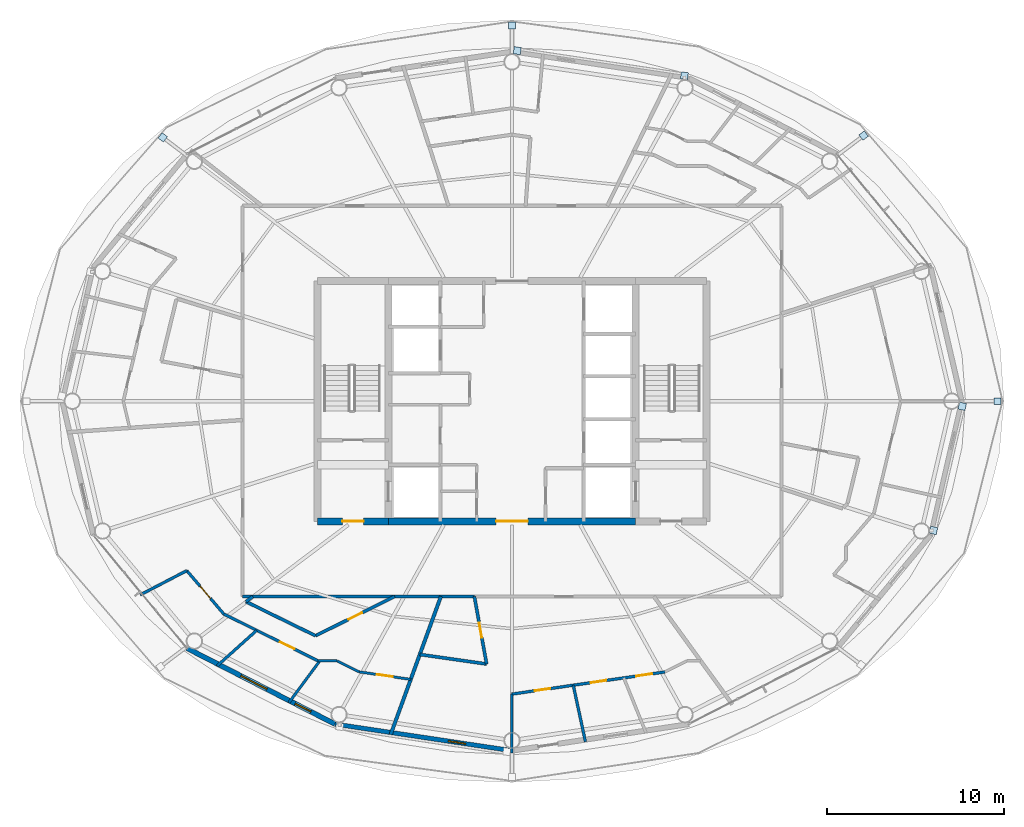
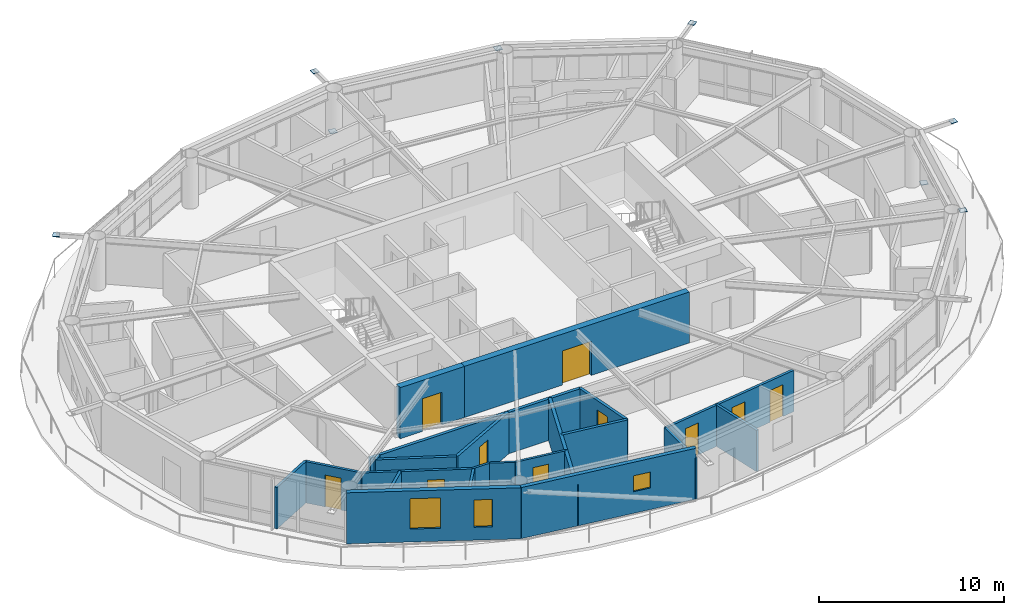
# One storey, part 15 of 23: 23 walls, 10 doors, 8 plates, 3 windows, 13 openings.
"""IFC4 building model written with IfcOpenShell, lengths in metres."""

from ifc_helpers import new_model, si_unit, direction, frame, frame_2d, origin, origin_2d, place, context, subcontext, project, spatial, rectangle, extrude, material, layer, layer_set, type_object, element, fill, save


model = new_model("IFC4")

# Units and contexts
model_context = context("Model", 3, precision=1e-05, world=origin(), true_north=direction((0.0, 1.0)))
body_context = subcontext(model_context, "Body", "Model", "MODEL_VIEW")
ifc_project = project(units=[si_unit("LENGTHUNIT", "METRE"), si_unit("AREAUNIT", "SQUARE_METRE"), si_unit("VOLUMEUNIT", "CUBIC_METRE"), si_unit("PLANEANGLEUNIT", "RADIAN"), si_unit("MASSUNIT", "GRAM", prefix="KILO")], contexts=[model_context])

# Site, building, storey
site_placement = place(None, origin())
site = spatial("IfcSite", under=ifc_project, at=site_placement, CompositionType="ELEMENT")
building_placement = place(site_placement, origin())
building = spatial("IfcBuilding", under=site, at=building_placement, Name="Sarneth Arch Tower", CompositionType="ELEMENT")
storey_placement = place(building_placement, frame((0.0, 0.0, 217.199951171875)))
storey = spatial("IfcBuildingStorey", under=building, at=storey_placement, Name="L55", CompositionType="ELEMENT", Elevation=217.199951171875)

# Plates
ifc_material_1 = material(Name="Steel S355", Category="steel")
ifc_layer_1 = layer(ifc_material_1, 0.035888671875)
ifc_layer_set_1 = layer_set([ifc_layer_1], Name="Steel S355")
plate_type = type_object("IfcPlateType", Name="PLT-GUSSET-30", PredefinedType="SHEET", material=ifc_layer_set_1)
for number, where, z_axis, x_axis, name in (
    (1, (75.4697265625, 42.0, 3.18212890625), (0.0, 0.0, 1.0), (1.0, 0.0, 0.0), "Steel end cap plate GP-1"),
    (2, (67.898193359375, 57.029052734375, 3.18212890625), (0.0, 0.0, 1.0), (0.798004853043, 0.602651022168, 0.0), "Steel end cap plate GP-1"),
):
    element("IfcPlate", number, at=place(storey_placement, frame(where, z_axis=z_axis, x_axis=x_axis)), inside=storey, type_object=plate_type, Name=name, PredefinedType="SHEET", context=body_context, shape_type="SweptSolid", body=[
        extrude(rectangle(XDim=0.3798828125, YDim=0.3798828125, at=origin_2d()), origin(), (0.0, 0.0, 1.0), 0.035888671875),
    ])
for number, where, z_axis, x_axis, name in (
    (3, (48.296630859375, 61.83544921875, 0.001953125), (0.0, 0.0, 1.0), (-0.988860535448, 0.148845024885, 0.0), "Steel end cap plate GP-1"),
    (4, (57.754150390625, 60.411376953125, 3.0185546875), (0.0, 0.0, 1.0), (-0.988860535448, 0.148845024885, 0.0), "Steel end cap plate GP-1"),
):
    element("IfcPlate", number, at=place(storey_placement, frame(where, z_axis=z_axis, x_axis=x_axis)), inside=storey, type_object=plate_type, Name=name, PredefinedType="SHEET", context=body_context, shape_type="SweptSolid", body=[
        extrude(rectangle(XDim=0.404052734375, YDim=0.404052734375, at=origin_2d()), origin(), (0.0, 0.0, 1.0), 0.035888671875),
    ])
for number, where, z_axis, x_axis, name in (
    (5, (48.0, 63.263427734375, 3.18212890625), (0.0, 0.0, 1.0), (0.0, 1.0, 0.0), "Steel end cap plate GP-1"),
    (6, (28.2373046875, 56.926513671875, 3.18212890625), (0.0, 0.0, 1.0), (-0.798004853043, 0.602651022168, 0.0), "Steel end cap plate GP-1"),
):
    element("IfcPlate", number, at=place(storey_placement, frame(where, z_axis=z_axis, x_axis=x_axis)), inside=storey, type_object=plate_type, Name=name, PredefinedType="SHEET", context=body_context, shape_type="SweptSolid", body=[
        extrude(rectangle(XDim=0.3798828125, YDim=0.3798828125, at=origin_2d()), origin(), (0.0, 0.0, 1.0), 0.035888671875),
    ])
for number, where, z_axis, x_axis, name in (
    (7, (73.4765625, 41.707763671875, 0.001953125), (0.0, 0.0, 1.0), (0.225461202458, 0.974252147129, 0.0), "Steel end cap plate GP-1"),
    (8, (71.851806640625, 34.6845703125, 3.0185546875), (0.0, 0.0, 1.0), (0.225461202458, 0.974252147129, 0.0), "Steel end cap plate GP-1"),
):
    element("IfcPlate", number, at=place(storey_placement, frame(where, z_axis=z_axis, x_axis=x_axis)), inside=storey, type_object=plate_type, Name=name, PredefinedType="SHEET", context=body_context, shape_type="SweptSolid", body=[
        extrude(rectangle(XDim=0.404052734375, YDim=0.404052734375, at=origin_2d()), origin(), (0.0, 0.0, 1.0), 0.035888671875),
    ])

# Wall, opening, door
ifc_material_2 = material(Name="Concrete C50/60", Category="concrete")
ifc_layer_2 = layer(ifc_material_2, 0.39990234375)
ifc_layer_set_2 = layer_set([ifc_layer_2], Name="Concrete C50/60")
wall_type_1 = type_object("IfcWallType", Name="WALL-CORE-400", PredefinedType="SHEAR", material=ifc_layer_set_2)
wall_1_placement = place(storey_placement, frame((37.0, 35.199951171875, 0.0), z_axis=(0.0, 0.0, 1.0), x_axis=(1.0, 0.0, 0.0)))
wall_1 = element("IfcWall", 9, at=wall_1_placement, inside=storey, type_object=wall_type_1, Name="L55 Core shear wall S-W", PredefinedType="SHEAR", context=body_context, shape_type="SweptSolid", body=[
    extrude(rectangle(XDim=4.0, YDim=0.39990234375, at=frame_2d((2.0, 0.0))), origin(), (0.0, 0.0, 1.0), 3.360107421875),
])
opening_1_placement = place(wall_1_placement, frame((1.39990234375, 0.0, 0.0)))
opening_1 = element("IfcOpeningElement", 10, at=opening_1_placement, cuts=wall_1, Name="Opening FD-02", PredefinedType="OPENING", context=body_context, shape_type="SweptSolid", body=[
    extrude(rectangle(XDim=1.199951171875, YDim=2.14990234375, at=frame_2d((0.60009765625, 1.074951171875))), frame((0.0, 0.2099609375, 0.0), z_axis=(0.0, -1.0, 0.0), x_axis=(1.0, 0.0, 0.0)), (0.0, 0.0, 1.0), 0.419921875),
])
ifc_material_3 = material(Name="Galvanised Steel S275 fire door set", Category="steel")
door_type_1 = type_object("IfcDoorType", Name="DR-FD90-1200", OperationType="SINGLE_SWING_LEFT", PredefinedType="DOOR", material=ifc_material_3)
door_1_placement = place(opening_1_placement, origin())
door_1 = element("IfcDoor", 11, at=door_1_placement, inside=storey, type_object=door_type_1, Name="L55 Firefighting lobby 1 exit door", OperationType="SINGLE_SWING_LEFT", OverallHeight=2.14990234375, OverallWidth=1.199951171875, PredefinedType="DOOR", context=body_context, shape_type="SweptSolid", body=[
    extrude(rectangle(XDim=1.199951171875, YDim=2.14990234375, at=frame_2d((0.60009765625, 1.074951171875))), frame((0.0, 0.02490234375, 0.0), z_axis=(0.0, -1.0, 0.0), x_axis=(1.0, 0.0, 0.0)), (0.0, 0.0, 1.0), 0.050048828125),
])
fill(opening_1, door_1)

wall_2_placement = place(storey_placement, frame((41.0, 35.199951171875, 0.0), z_axis=(0.0, 0.0, 1.0), x_axis=(1.0, 0.0, 0.0)))
wall_2 = element("IfcWall", 12, at=wall_2_placement, inside=storey, type_object=wall_type_1, Name="L55 Core shear wall S-M", PredefinedType="SHEAR", context=body_context, shape_type="SweptSolid", body=[
    extrude(rectangle(XDim=14.0, YDim=0.39990234375, at=frame_2d((7.0, 0.0))), origin(), (0.0, 0.0, 1.0), 3.360107421875),
])
opening_2_placement = place(wall_2_placement, frame((6.10009765625, 0.0, 0.0)))
opening_2 = element("IfcOpeningElement", 13, at=opening_2_placement, cuts=wall_2, Name="Opening FD-01", PredefinedType="OPENING", context=body_context, shape_type="SweptSolid", body=[
    extrude(rectangle(XDim=1.800048828125, YDim=2.25, at=frame_2d((0.89990234375, 1.125))), frame((0.0, 0.2099609375, 0.0), z_axis=(0.0, -1.0, 0.0), x_axis=(1.0, 0.0, 0.0)), (0.0, 0.0, 1.0), 0.419921875),
])
ifc_material_4 = material(Name="Galvanised Steel S275 fire door set", Category="steel")
door_type_2 = type_object("IfcDoorType", Name="DR-FD90-1800", OperationType="DOUBLE_DOOR_SINGLE_SWING", PredefinedType="DOOR", material=ifc_material_4)
door_2_placement = place(opening_2_placement, origin())
door_2 = element("IfcDoor", 14, at=door_2_placement, inside=storey, type_object=door_type_2, Name="L55 Central lift lobby south door", OperationType="DOUBLE_DOOR_SINGLE_SWING", OverallHeight=2.25, OverallWidth=1.800048828125, PredefinedType="DOOR", context=body_context, shape_type="SweptSolid", body=[
    extrude(rectangle(XDim=1.800048828125, YDim=2.25, at=frame_2d((0.89990234375, 1.125))), frame((0.0, 0.02490234375, 0.0), z_axis=(0.0, -1.0, 0.0), x_axis=(1.0, 0.0, 0.0)), (0.0, 0.0, 1.0), 0.050048828125),
])
fill(opening_2, door_2)

# Wall
ifc_material_5 = material(Name="Double steel-stud corridor fire wall", Category="steel")
ifc_layer_3 = layer(ifc_material_5, 0.18994140625)
ifc_layer_set_3 = layer_set([ifc_layer_3], Name="Double steel-stud corridor fire wall")
wall_type_2 = type_object("IfcWallType", Name="WALL-CORR-190", PredefinedType="PARTITIONING", material=ifc_layer_set_3)
wall_3_placement = place(storey_placement, frame((45.870361328125, 30.949951171875, 0.0), z_axis=(0.0, 0.0, 1.0), x_axis=(-1.0, 0.0, 0.0)))
element("IfcWall", 15, at=wall_3_placement, inside=storey, type_object=wall_type_2, Name="L55 Interior partition W-L55-TP-014", PredefinedType="PARTITIONING", context=body_context, shape_type="SweptSolid", body=[
    extrude(rectangle(XDim=13.120361328125, YDim=0.18994140625, at=frame_2d((6.56005859375, 0.0))), origin(), (0.0, 0.0, 1.0), 2.719970703125),
])

# Wall, opening, window
ifc_material_6 = material(Name="Extruded terracotta rainscreen on Concrete C40/50 backing", Category="masonry")
ifc_layer_4 = layer(ifc_material_6, 0.25)
ifc_layer_set_4 = layer_set([ifc_layer_4], Name="Extruded terracotta rainscreen on Concrete C40/50 backing")
wall_type_3 = type_object("IfcWallType", Name="WALL-EXT-SPAND-250", PredefinedType="SOLIDWALL", material=ifc_layer_set_4)
wall_4_placement = place(storey_placement, frame((37.9873046875, 23.7255859375, 0.0), z_axis=(0.0, 0.0, 1.0), x_axis=(0.988882522213, -0.148698881169, 0.0)))
wall_4 = element("IfcWall", 16, at=wall_4_placement, inside=storey, type_object=wall_type_3, Name="L55 Terracotta perimeter wall 12", PredefinedType="SOLIDWALL", context=body_context, shape_type="SweptSolid", body=[
    extrude(rectangle(XDim=10.125244140625, YDim=0.25, at=frame_2d((5.0625, 0.0))), origin(), (0.0, 0.0, 1.0), 3.360107421875),
])
opening_3_placement = place(wall_4_placement, frame((6.48779296875, 0.0, 1.419921875)))
opening_3 = element("IfcOpeningElement", 17, at=opening_3_placement, cuts=wall_4, Name="Opening W-14", PredefinedType="OPENING", context=body_context, shape_type="SweptSolid", body=[
    extrude(rectangle(XDim=1.0, YDim=1.050048828125, at=frame_2d((0.5, 0.52490234375))), frame((0.0, 0.135009765625, 0.0), z_axis=(0.0, -1.0, 0.0), x_axis=(1.0, 0.0, 0.0)), (0.0, 0.0, 1.0), 0.27001953125),
])
ifc_material_7 = material(Name="Thermally broken Aluminium 6063-T6 and low-e laminated IGU", Category="aluminium")
window_type_1 = type_object("IfcWindowType", Name="WIN-TWR-1000x1050", PartitioningType="SINGLE_PANEL", PredefinedType="WINDOW", material=ifc_material_7)
window_1_placement = place(opening_3_placement, origin())
window_1 = element("IfcWindow", 18, at=window_1_placement, inside=storey, type_object=window_type_1, Name="L55 Dwelling bedroom window 04", OverallHeight=1.050048828125, OverallWidth=1.0, PartitioningType="SINGLE_PANEL", PredefinedType="WINDOW", context=body_context, shape_type="SweptSolid", body=[
    extrude(rectangle(XDim=1.0, YDim=1.050048828125, at=frame_2d((0.5, 0.52490234375))), frame((0.0, 0.030029296875, 0.0), z_axis=(0.0, -1.0, 0.0), x_axis=(1.0, 0.0, 0.0)), (0.0, 0.0, 1.0), 0.06005859375),
])
fill(opening_3, window_1)

# Wall, openings, windows
ifc_material_8 = material(Name="Extruded terracotta rainscreen on Concrete C40/50 backing", Category="masonry")
ifc_layer_5 = layer(ifc_material_8, 0.280029296875)
ifc_layer_set_5 = layer_set([ifc_layer_5], Name="Extruded terracotta rainscreen on Concrete C40/50 backing")
wall_type_4 = type_object("IfcWallType", Name="WALL-EXT-TERRA-280", PredefinedType="SOLIDWALL", material=ifc_layer_set_5)
wall_5_placement = place(storey_placement, frame((29.617431640625, 28.013427734375, 0.0), z_axis=(0.0, 0.0, 1.0), x_axis=(0.890007394051, -0.455946091699, 0.0)))
wall_5 = element("IfcWall", 19, at=wall_5_placement, inside=storey, type_object=wall_type_4, Name="L55 Terracotta perimeter wall 11", PredefinedType="SOLIDWALL", context=body_context, shape_type="SweptSolid", body=[
    extrude(rectangle(XDim=9.404296875, YDim=0.280029296875, at=frame_2d((4.7021484375, 0.0))), origin(), (0.0, 0.0, 1.0), 3.360107421875),
])
opening_4_placement = place(wall_5_placement, frame((3.41845703125, 0.0, 0.85009765625)))
opening_4 = element("IfcOpeningElement", 20, at=opening_4_placement, cuts=wall_5, Name="Opening W-05", PredefinedType="OPENING", context=body_context, shape_type="SweptSolid", body=[
    extrude(rectangle(XDim=1.64990234375, YDim=2.0, at=frame_2d((0.824951171875, 1.0))), frame((0.0, 0.14990234375, 0.0), z_axis=(0.0, -1.0, 0.0), x_axis=(1.0, 0.0, 0.0)), (0.0, 0.0, 1.0), 0.300048828125),
])
opening_5_placement = place(wall_5_placement, frame((6.8662109375, 0.0, 0.85009765625)))
opening_5 = element("IfcOpeningElement", 21, at=opening_5_placement, cuts=wall_5, Name="Opening W-11", PredefinedType="OPENING", context=body_context, shape_type="SweptSolid", body=[
    extrude(rectangle(XDim=1.0, YDim=1.800048828125, at=frame_2d((0.5, 0.89990234375))), frame((0.0, 0.14990234375, 0.0), z_axis=(0.0, -1.0, 0.0), x_axis=(1.0, 0.0, 0.0)), (0.0, 0.0, 1.0), 0.300048828125),
])
ifc_material_9 = material(Name="Thermally broken Aluminium 6063-T6 and low-e laminated IGU", Category="aluminium")
window_type_2 = type_object("IfcWindowType", Name="WIN-TWR-1000x1800", PartitioningType="SINGLE_PANEL", PredefinedType="WINDOW", material=ifc_material_9)
window_2_placement = place(opening_5_placement, origin())
window_2 = element("IfcWindow", 22, at=window_2_placement, inside=storey, type_object=window_type_2, Name="L55 Exterior window 11B", OverallHeight=1.800048828125, OverallWidth=1.0, PartitioningType="SINGLE_PANEL", PredefinedType="WINDOW", context=body_context, shape_type="SweptSolid", body=[
    extrude(rectangle(XDim=1.0, YDim=1.800048828125, at=frame_2d((0.5, 0.89990234375))), frame((0.0, 0.030029296875, 0.0), z_axis=(0.0, -1.0, 0.0), x_axis=(1.0, 0.0, 0.0)), (0.0, 0.0, 1.0), 0.06005859375),
])
fill(opening_5, window_2)
ifc_material_10 = material(Name="Thermally broken Aluminium 6063-T6 and low-e laminated IGU", Category="aluminium")
window_type_3 = type_object("IfcWindowType", Name="WIN-TWR-1650x2000", PartitioningType="DOUBLE_PANEL_VERTICAL", PredefinedType="WINDOW", material=ifc_material_10)
window_3_placement = place(opening_4_placement, origin())
window_3 = element("IfcWindow", 23, at=window_3_placement, inside=storey, type_object=window_type_3, Name="L55 Exterior window 11A", OverallHeight=2.0, OverallWidth=1.64990234375, PartitioningType="SINGLE_PANEL", PredefinedType="WINDOW", context=body_context, shape_type="SweptSolid", body=[
    extrude(rectangle(XDim=1.64990234375, YDim=2.0, at=frame_2d((0.824951171875, 1.0))), frame((0.0, 0.030029296875, 0.0), z_axis=(0.0, -1.0, 0.0), x_axis=(1.0, 0.0, 0.0)), (0.0, 0.0, 1.0), 0.06005859375),
])
fill(opening_4, window_3)

# Wall, opening, door
ifc_material_11 = material(Name="Apartment internal stud partition", Category="gypsum")
ifc_layer_6 = layer(ifc_material_11, 0.139892578125)
ifc_layer_set_6 = layer_set([ifc_layer_6], Name="Apartment internal stud partition")
wall_type_5 = type_object("IfcWallType", Name="WALL-PART-140", PredefinedType="PARTITIONING", material=ifc_layer_set_6)
wall_6_placement = place(storey_placement, frame((42.26953125, 26.255615234375, 0.0), z_axis=(0.0, 0.0, 1.0), x_axis=(-0.989530523264, 0.144323745545, 0.0)))
wall_6 = element("IfcWall", 24, at=wall_6_placement, inside=storey, type_object=wall_type_5, Name="L55 Interior partition W-L55-TP-074", PredefinedType="PARTITIONING", context=body_context, shape_type="SweptSolid", body=[
    extrude(rectangle(XDim=2.955322265625, YDim=0.139892578125, at=frame_2d((1.4775390625, 0.0))), origin(), (0.0, 0.0, 1.0), 2.719970703125),
])
opening_6_placement = place(wall_6_placement, frame((1.027587890625, 0.0, 0.0)))
opening_6 = element("IfcOpeningElement", 25, at=opening_6_placement, cuts=wall_6, Name="Opening ID-01", PredefinedType="OPENING", context=body_context, shape_type="SweptSolid", body=[
    extrude(rectangle(XDim=0.89990234375, YDim=2.10009765625, at=frame_2d((0.449951171875, 1.050048828125))), frame((0.0, 0.079833984375, 0.0), z_axis=(0.0, -1.0, 0.0), x_axis=(1.0, 0.0, 0.0)), (0.0, 0.0, 1.0), 0.159912109375),
])
ifc_material_12 = material(Name="Engineered hardwood flush door", Category="wood")
door_type_3 = type_object("IfcDoorType", Name="DR-INT-900", OperationType="SINGLE_SWING_LEFT", PredefinedType="DOOR", material=ifc_material_12)
door_3_placement = place(opening_6_placement, origin())
door_3 = element("IfcDoor", 26, at=door_3_placement, inside=storey, type_object=door_type_3, Name="L55 Interior door DR-L55-U5-BED2", OperationType="SINGLE_SWING_RIGHT", OverallHeight=2.10009765625, OverallWidth=0.89990234375, PredefinedType="DOOR", context=body_context, shape_type="SweptSolid", body=[
    extrude(rectangle(XDim=0.89990234375, YDim=2.10009765625, at=frame_2d((0.449951171875, 1.050048828125))), frame((0.0, 0.02490234375, 0.0), z_axis=(0.0, -1.0, 0.0), x_axis=(1.0, 0.0, 0.0)), (0.0, 0.0, 1.0), 0.050048828125),
])
fill(opening_6, door_3)

# Walls
wall_7_placement = place(storey_placement, frame((39.34521484375, 26.68212890625, 0.0), z_axis=(0.0, 0.0, 1.0), x_axis=(-0.895584310315, 0.444891833053, 0.0)))
element("IfcWall", 27, at=wall_7_placement, inside=storey, type_object=wall_type_5, Name="L55 Interior partition W-L55-TP-075", PredefinedType="PARTITIONING", context=body_context, shape_type="SweptSolid", body=[
    extrude(rectangle(XDim=1.388916015625, YDim=0.139892578125, at=frame_2d((0.6943359375, 0.0))), origin(), (0.0, 0.0, 1.0), 2.719970703125),
])
wall_8_placement = place(storey_placement, frame((38.101318359375, 27.300048828125, 0.0), z_axis=(0.0, 0.0, 1.0), x_axis=(-1.0, 0.0, 0.0)))
element("IfcWall", 28, at=wall_8_placement, inside=storey, type_object=wall_type_5, Name="L55 Interior partition W-L55-TP-076", PredefinedType="PARTITIONING", context=body_context, shape_type="SweptSolid", body=[
    extrude(rectangle(XDim=1.065185546875, YDim=0.139892578125, at=frame_2d((0.53271484375, 0.0))), origin(), (0.0, 0.0, 1.0), 2.719970703125),
])
ifc_material_13 = material(Name="Acoustic gypsum stud partition", Category="gypsum")
ifc_layer_7 = layer(ifc_material_13, 0.14990234375)
ifc_layer_set_7 = layer_set([ifc_layer_7], Name="Acoustic gypsum stud partition")
wall_type_6 = type_object("IfcWallType", Name="WALL-PART-150", PredefinedType="PARTITIONING", material=ifc_layer_set_7)
wall_9_placement = place(storey_placement, frame((35.37109375, 24.932861328125, 0.0), z_axis=(0.0, 0.0, 1.0), x_axis=(0.594787288624, 0.803883126637, 0.0)))
element("IfcWall", 29, at=wall_9_placement, inside=storey, type_object=wall_type_6, Name="L55 Interior partition W-L55-TP-080", PredefinedType="PARTITIONING", context=body_context, shape_type="SweptSolid", body=[
    extrude(rectangle(XDim=2.944580078125, YDim=0.14990234375, at=frame_2d((1.47216796875, 0.0))), origin(), (0.0, 0.0, 1.0), 2.719970703125),
])

# Wall, opening, door
ifc_material_14 = material(Name="Kitchen wet service chase wall", Category="gypsum")
ifc_layer_8 = layer(ifc_material_14, 0.159912109375)
ifc_layer_set_8 = layer_set([ifc_layer_8], Name="Kitchen wet service chase wall")
wall_type_7 = type_object("IfcWallType", Name="WALL-PLUMB-160", PredefinedType="PLUMBINGWALL", material=ifc_layer_set_8)
wall_10_placement = place(storey_placement, frame((37.0361328125, 27.300048828125, 0.0), z_axis=(0.0, 0.0, 1.0), x_axis=(-0.895471406875, 0.445119039661, 0.0)))
wall_10 = element("IfcWall", 30, at=wall_10_placement, inside=storey, type_object=wall_type_7, Name="L55 Interior partition W-L55-TP-073", PredefinedType="PLUMBINGWALL", context=body_context, shape_type="SweptSolid", body=[
    extrude(rectangle(XDim=5.971435546875, YDim=0.159912109375, at=frame_2d((2.98583984375, 0.0))), origin(), (0.0, 0.0, 1.0), 2.719970703125),
])
opening_7_placement = place(wall_10_placement, frame((1.51171875, 0.0, 0.0)))
opening_7 = element("IfcOpeningElement", 31, at=opening_7_placement, cuts=wall_10, Name="Opening ID-01", PredefinedType="OPENING", context=body_context, shape_type="SweptSolid", body=[
    extrude(rectangle(XDim=0.89990234375, YDim=2.10009765625, at=frame_2d((0.449951171875, 1.050048828125))), frame((0.0, 0.08984375, 0.0), z_axis=(0.0, -1.0, 0.0), x_axis=(1.0, 0.0, 0.0)), (0.0, 0.0, 1.0), 0.179931640625),
])
door_4_placement = place(opening_7_placement, origin())
door_4 = element("IfcDoor", 32, at=door_4_placement, inside=storey, type_object=door_type_3, Name="L55 Interior door DR-L55-U5-BED1", OperationType="SINGLE_SWING_RIGHT", OverallHeight=2.10009765625, OverallWidth=0.89990234375, PredefinedType="DOOR", context=body_context, shape_type="SweptSolid", body=[
    extrude(rectangle(XDim=0.89990234375, YDim=2.10009765625, at=frame_2d((0.449951171875, 1.050048828125))), frame((0.0, 0.02490234375, 0.0), z_axis=(0.0, -1.0, 0.0), x_axis=(1.0, 0.0, 0.0)), (0.0, 0.0, 1.0), 0.050048828125),
])
fill(opening_7, door_4)

# Wall, openings, doors
wall_11_placement = place(storey_placement, frame((47.98779296875, 25.421875, 0.0), z_axis=(0.0, 0.0, 1.0), x_axis=(0.989682378547, 0.143278712982, 0.0)))
wall_11 = element("IfcWall", 33, at=wall_11_placement, inside=storey, type_object=wall_type_7, Name="L55 Interior partition W-L55-TP-083", PredefinedType="PLUMBINGWALL", context=body_context, shape_type="SweptSolid", body=[
    extrude(rectangle(XDim=8.75830078125, YDim=0.159912109375, at=frame_2d((4.379150390625, 0.0))), origin(), (0.0, 0.0, 1.0), 2.719970703125),
])
opening_8_placement = place(wall_11_placement, frame((1.3076171875, 0.0, 0.0)))
opening_8 = element("IfcOpeningElement", 34, at=opening_8_placement, cuts=wall_11, Name="Opening ID-01", PredefinedType="OPENING", context=body_context, shape_type="SweptSolid", body=[
    extrude(rectangle(XDim=0.89990234375, YDim=2.10009765625, at=frame_2d((0.449951171875, 1.050048828125))), frame((0.0, 0.08984375, 0.0), z_axis=(0.0, -1.0, 0.0), x_axis=(1.0, 0.0, 0.0)), (0.0, 0.0, 1.0), 0.179931640625),
])
opening_9_placement = place(wall_11_placement, frame((4.510498046875, 0.0, 0.0)))
opening_9 = element("IfcOpeningElement", 35, at=opening_9_placement, cuts=wall_11, Name="Opening ID-01", PredefinedType="OPENING", context=body_context, shape_type="SweptSolid", body=[
    extrude(rectangle(XDim=0.89990234375, YDim=2.10009765625, at=frame_2d((0.449951171875, 1.050048828125))), frame((0.0, 0.08984375, 0.0), z_axis=(0.0, -1.0, 0.0), x_axis=(1.0, 0.0, 0.0)), (0.0, 0.0, 1.0), 0.179931640625),
])
opening_10_placement = place(wall_11_placement, frame((7.114990234375, 0.0, 0.0)))
opening_10 = element("IfcOpeningElement", 36, at=opening_10_placement, cuts=wall_11, Name="Opening ID-01", PredefinedType="OPENING", context=body_context, shape_type="SweptSolid", body=[
    extrude(rectangle(XDim=0.89990234375, YDim=2.10009765625, at=frame_2d((0.449951171875, 1.050048828125))), frame((0.0, 0.08984375, 0.0), z_axis=(0.0, -1.0, 0.0), x_axis=(1.0, 0.0, 0.0)), (0.0, 0.0, 1.0), 0.179931640625),
])
door_5_placement = place(opening_8_placement, origin())
door_5 = element("IfcDoor", 37, at=door_5_placement, inside=storey, type_object=door_type_3, Name="L55 Interior door DR-L55-U6-KIT", OperationType="SINGLE_SWING_RIGHT", OverallHeight=2.10009765625, OverallWidth=0.89990234375, PredefinedType="DOOR", context=body_context, shape_type="SweptSolid", body=[
    extrude(rectangle(XDim=0.89990234375, YDim=2.10009765625, at=frame_2d((0.449951171875, 1.050048828125))), frame((0.0, 0.02490234375, 0.0), z_axis=(0.0, -1.0, 0.0), x_axis=(1.0, 0.0, 0.0)), (0.0, 0.0, 1.0), 0.050048828125),
])
fill(opening_8, door_5)
door_6_placement = place(opening_9_placement, origin())
door_6 = element("IfcDoor", 38, at=door_6_placement, inside=storey, type_object=door_type_3, Name="L55 Interior door DR-L55-U6-BED1", OperationType="SINGLE_SWING_RIGHT", OverallHeight=2.10009765625, OverallWidth=0.89990234375, PredefinedType="DOOR", context=body_context, shape_type="SweptSolid", body=[
    extrude(rectangle(XDim=0.89990234375, YDim=2.10009765625, at=frame_2d((0.449951171875, 1.050048828125))), frame((0.0, 0.02490234375, 0.0), z_axis=(0.0, -1.0, 0.0), x_axis=(1.0, 0.0, 0.0)), (0.0, 0.0, 1.0), 0.050048828125),
])
fill(opening_9, door_6)
door_7_placement = place(opening_10_placement, origin())
door_7 = element("IfcDoor", 39, at=door_7_placement, inside=storey, type_object=door_type_3, Name="L55 Interior door DR-L55-U6-BED2", OperationType="SINGLE_SWING_LEFT", OverallHeight=2.10009765625, OverallWidth=0.89990234375, PredefinedType="DOOR", context=body_context, shape_type="SweptSolid", body=[
    extrude(rectangle(XDim=0.89990234375, YDim=2.10009765625, at=frame_2d((0.449951171875, 1.050048828125))), frame((0.0, 0.02490234375, 0.0), z_axis=(0.0, -1.0, 0.0), x_axis=(1.0, 0.0, 0.0)), (0.0, 0.0, 1.0), 0.050048828125),
])
fill(opening_10, door_7)

# Walls
wall_12_placement = place(storey_placement, frame((47.985107421875, 22.102294921875, 0.0), z_axis=(0.0, 0.0, 1.0), x_axis=(0.000809001721, 0.999999672758, 0.0)))
element("IfcWall", 40, at=wall_12_placement, inside=storey, type_object=wall_type_7, Name="L55 Interior partition W-L55-TP-082", PredefinedType="PLUMBINGWALL", context=body_context, shape_type="SweptSolid", body=[
    extrude(rectangle(XDim=3.319580078125, YDim=0.159912109375, at=frame_2d((1.65966796875, 0.0))), origin(), (0.0, 0.0, 1.0), 2.719970703125),
])
wall_13_placement = place(storey_placement, frame((51.466796875, 25.925537109375, 0.0), z_axis=(0.0, 0.0, 1.0), x_axis=(0.210745686609, -0.977540922711, 0.0)))
element("IfcWall", 41, at=wall_13_placement, inside=storey, type_object=wall_type_7, Name="L55 Interior partition W-L55-TP-091", PredefinedType="PLUMBINGWALL", context=body_context, shape_type="SweptSolid", body=[
    extrude(rectangle(XDim=3.27490234375, YDim=0.159912109375, at=frame_2d((1.637451171875, 0.0))), origin(), (0.0, 0.0, 1.0), 2.719970703125),
])

# Wall, opening, door
wall_14_placement = place(storey_placement, frame((31.68896484375, 29.9580078125, 0.0), z_axis=(0.0, 0.0, 1.0), x_axis=(-0.649012353166, 0.760777868657, 0.0)))
wall_14 = element("IfcWall", 42, at=wall_14_placement, inside=storey, type_object=wall_type_7, Name="L55 Interior partition W-L55-TP-067", PredefinedType="PLUMBINGWALL", context=body_context, shape_type="SweptSolid", body=[
    extrude(rectangle(XDim=3.22412109375, YDim=0.159912109375, at=frame_2d((1.612060546875, 0.0))), origin(), (0.0, 0.0, 1.0), 2.719970703125),
])
opening_11_placement = place(wall_14_placement, frame((1.162109375, 0.0, 0.0)))
opening_11 = element("IfcOpeningElement", 43, at=opening_11_placement, cuts=wall_14, Name="Opening ID-01", PredefinedType="OPENING", context=body_context, shape_type="SweptSolid", body=[
    extrude(rectangle(XDim=0.89990234375, YDim=2.10009765625, at=frame_2d((0.449951171875, 1.050048828125))), frame((0.0, 0.08984375, 0.0), z_axis=(0.0, -1.0, 0.0), x_axis=(1.0, 0.0, 0.0)), (0.0, 0.0, 1.0), 0.179931640625),
])
door_8_placement = place(opening_11_placement, origin())
door_8 = element("IfcDoor", 44, at=door_8_placement, inside=storey, type_object=door_type_3, Name="L55 Interior door DR-L55-U5-KIT", OperationType="SINGLE_SWING_RIGHT", OverallHeight=2.10009765625, OverallWidth=0.89990234375, PredefinedType="DOOR", context=body_context, shape_type="SweptSolid", body=[
    extrude(rectangle(XDim=0.89990234375, YDim=2.10009765625, at=frame_2d((0.449951171875, 1.050048828125))), frame((0.0, 0.02490234375, 0.0), z_axis=(0.0, -1.0, 0.0), x_axis=(1.0, 0.0, 0.0)), (0.0, 0.0, 1.0), 0.050048828125),
])
fill(opening_11, door_8)

# Walls
wall_15_placement = place(storey_placement, frame((31.3125, 27.019287109375, 0.0), z_axis=(0.0, 0.0, 1.0), x_axis=(0.744144111532, 0.668019117445, 0.0)))
element("IfcWall", 45, at=wall_15_placement, inside=storey, type_object=wall_type_7, Name="L55 Interior partition W-L55-TP-079", PredefinedType="PLUMBINGWALL", context=body_context, shape_type="SweptSolid", body=[
    extrude(rectangle(XDim=3.011474609375, YDim=0.159912109375, at=frame_2d((1.505859375, 0.0))), origin(), (0.0, 0.0, 1.0), 2.719970703125),
])
wall_16_placement = place(storey_placement, frame((29.596435546875, 32.410888671875, 0.0), z_axis=(0.0, 0.0, 1.0), x_axis=(-0.886874801181, -0.462009834344, 0.0)))
element("IfcWall", 46, at=wall_16_placement, inside=storey, type_object=wall_type_7, Name="L55 Interior partition W-L55-TP-068", PredefinedType="PLUMBINGWALL", context=body_context, shape_type="SweptSolid", body=[
    extrude(rectangle(XDim=2.970947265625, YDim=0.159912109375, at=frame_2d((1.4853515625, 0.0))), origin(), (0.0, 0.0, 1.0), 2.719970703125),
])

# Wall, opening, door
ifc_material_15 = material(Name="Moisture-resistant plumbing chase wall", Category="gypsum")
ifc_layer_9 = layer(ifc_material_15, 0.179931640625)
ifc_layer_set_9 = layer_set([ifc_layer_9], Name="Moisture-resistant plumbing chase wall")
wall_type_8 = type_object("IfcWallType", Name="WALL-PLUMB-180", PredefinedType="PLUMBINGWALL", material=ifc_layer_set_9)
wall_17_placement = place(storey_placement, frame((41.366455078125, 30.949951171875, 0.0), z_axis=(0.0, 0.0, 1.0), x_axis=(-0.895701232799, -0.444656385946, 0.0)))
wall_17 = element("IfcWall", 47, at=wall_17_placement, inside=storey, type_object=wall_type_8, Name="L55 Interior partition W-L55-TP-069", PredefinedType="PLUMBINGWALL", context=body_context, shape_type="SweptSolid", body=[
    extrude(rectangle(XDim=5.00634765625, YDim=0.179931640625, at=frame_2d((2.503173828125, 0.0))), origin(), (0.0, 0.0, 1.0), 2.719970703125),
])
opening_12_placement = place(wall_17_placement, frame((2.078125, 0.0, 0.0)))
opening_12 = element("IfcOpeningElement", 48, at=opening_12_placement, cuts=wall_17, Name="Opening ID-02", PredefinedType="OPENING", context=body_context, shape_type="SweptSolid", body=[
    extrude(rectangle(XDim=0.85009765625, YDim=2.10009765625, at=frame_2d((0.425048828125, 1.050048828125))), frame((0.0, 0.099853515625, 0.0), z_axis=(0.0, -1.0, 0.0), x_axis=(1.0, 0.0, 0.0)), (0.0, 0.0, 1.0), 0.199951171875),
])
ifc_material_16 = material(Name="Moisture-resistant bathroom timber door", Category="wood")
door_type_4 = type_object("IfcDoorType", Name="DR-INT-850", OperationType="SINGLE_SWING_RIGHT", PredefinedType="DOOR", material=ifc_material_16)
door_9_placement = place(opening_12_placement, origin())
door_9 = element("IfcDoor", 49, at=door_9_placement, inside=storey, type_object=door_type_4, Name="L55 Interior door DR-L55-U5-BATH", OperationType="SINGLE_SWING_LEFT", OverallHeight=2.10009765625, OverallWidth=0.85009765625, PredefinedType="DOOR", context=body_context, shape_type="SweptSolid", body=[
    extrude(rectangle(XDim=0.85009765625, YDim=2.10009765625, at=frame_2d((0.425048828125, 1.050048828125))), frame((0.0, 0.02490234375, 0.0), z_axis=(0.0, -1.0, 0.0), x_axis=(1.0, 0.0, 0.0)), (0.0, 0.0, 1.0), 0.050048828125),
])
fill(opening_12, door_9)

# Wall
wall_18_placement = place(storey_placement, frame((36.88232421875, 28.723876953125, 0.0), z_axis=(0.0, 0.0, 1.0), x_axis=(-0.897797301304, 0.440408907461, 0.0)))
element("IfcWall", 50, at=wall_18_placement, inside=storey, type_object=wall_type_8, Name="L55 Interior partition W-L55-TP-070", PredefinedType="PLUMBINGWALL", context=body_context, shape_type="SweptSolid", body=[
    extrude(rectangle(XDim=4.385498046875, YDim=0.179931640625, at=frame_2d((2.19287109375, 0.0))), origin(), (0.0, 0.0, 1.0), 2.719970703125),
])

# Wall, opening, door
wall_19_placement = place(storey_placement, frame((46.563720703125, 27.12548828125, 0.0), z_axis=(0.0, 0.0, 1.0), x_axis=(-0.178387939108, 0.983960234553, 0.0)))
wall_19 = element("IfcWall", 51, at=wall_19_placement, inside=storey, type_object=wall_type_8, Name="L55 Interior partition W-L55-TP-085", PredefinedType="PLUMBINGWALL", context=body_context, shape_type="SweptSolid", body=[
    extrude(rectangle(XDim=3.88671875, YDim=0.179931640625, at=frame_2d((1.943359375, 0.0))), origin(), (0.0, 0.0, 1.0), 2.719970703125),
])
opening_13_placement = place(wall_19_placement, frame((1.518310546875, 0.0, 0.0)))
opening_13 = element("IfcOpeningElement", 52, at=opening_13_placement, cuts=wall_19, Name="Opening ID-02", PredefinedType="OPENING", context=body_context, shape_type="SweptSolid", body=[
    extrude(rectangle(XDim=0.85009765625, YDim=2.10009765625, at=frame_2d((0.425048828125, 1.050048828125))), frame((0.0, 0.099853515625, 0.0), z_axis=(0.0, -1.0, 0.0), x_axis=(1.0, 0.0, 0.0)), (0.0, 0.0, 1.0), 0.199951171875),
])
door_10_placement = place(opening_13_placement, origin())
door_10 = element("IfcDoor", 53, at=door_10_placement, inside=storey, type_object=door_type_4, Name="L55 Interior door DR-L55-U6-BATH", OperationType="SINGLE_SWING_RIGHT", OverallHeight=2.10009765625, OverallWidth=0.85009765625, PredefinedType="DOOR", context=body_context, shape_type="SweptSolid", body=[
    extrude(rectangle(XDim=0.85009765625, YDim=2.10009765625, at=frame_2d((0.425048828125, 1.050048828125))), frame((0.0, 0.02490234375, 0.0), z_axis=(0.0, -1.0, 0.0), x_axis=(1.0, 0.0, 0.0)), (0.0, 0.0, 1.0), 0.050048828125),
])
fill(opening_13, door_10)

# Walls
wall_20_placement = place(storey_placement, frame((42.782958984375, 27.666259765625, 0.0), z_axis=(0.0, 0.0, 1.0), x_axis=(0.989925187984, -0.141591391669, 0.0)))
element("IfcWall", 54, at=wall_20_placement, inside=storey, type_object=wall_type_8, Name="L55 Interior partition W-L55-TP-084", PredefinedType="PLUMBINGWALL", context=body_context, shape_type="SweptSolid", body=[
    extrude(rectangle(XDim=3.8193359375, YDim=0.179931640625, at=frame_2d((1.90966796875, 0.0))), origin(), (0.0, 0.0, 1.0), 2.719970703125),
])
wall_21_placement = place(storey_placement, frame((32.945068359375, 30.6552734375, 0.0), z_axis=(0.0, 0.0, 1.0), x_axis=(0.798681895285, 0.601753462927, 0.0)))
element("IfcWall", 55, at=wall_21_placement, inside=storey, type_object=wall_type_8, Name="L55 Interior partition W-L55-TP-071", PredefinedType="PLUMBINGWALL", context=body_context, shape_type="SweptSolid", body=[
    extrude(rectangle(XDim=0.48974609375, YDim=0.179931640625, at=frame_2d((0.244873046875, 0.0))), origin(), (0.0, 0.0, 1.0), 2.719970703125),
])
ifc_material_17 = material(Name="Double steel-stud acoustic drywall", Category="steel")
ifc_layer_10 = layer(ifc_material_17, 0.199951171875)
ifc_layer_set_10 = layer_set([ifc_layer_10], Name="Double steel-stud acoustic drywall")
wall_type_9 = type_object("IfcWallType", Name="WALL-UNIT-200", PredefinedType="PARTITIONING", material=ifc_layer_set_10)
wall_22_placement = place(storey_placement, frame((43.97802734375, 30.949951171875, 0.0), z_axis=(0.0, 0.0, 1.0), x_axis=(-0.34200203284, -0.939699212266, 0.0)))
element("IfcWall", 56, at=wall_22_placement, inside=storey, type_object=wall_type_9, Name="L55 Interior partition W-L55-TP-078", PredefinedType="PARTITIONING", context=body_context, shape_type="SweptSolid", body=[
    extrude(rectangle(XDim=4.99560546875, YDim=0.199951171875, at=frame_2d((2.497802734375, 0.0))), origin(), (0.0, 0.0, 1.0), 2.719970703125),
])
wall_23_placement = place(storey_placement, frame((41.13330078125, 23.133544921875, 0.0), z_axis=(0.0, 0.0, 1.0), x_axis=(0.342000121366, 0.939699907942, 0.0)))
element("IfcWall", 57, at=wall_23_placement, inside=storey, type_object=wall_type_9, Name="L55 Interior partition W-L55-TP-081", PredefinedType="PARTITIONING", context=body_context, shape_type="SweptSolid", body=[
    extrude(rectangle(XDim=3.355224609375, YDim=0.199951171875, at=frame_2d((1.677734375, 0.0))), origin(), (0.0, 0.0, 1.0), 2.719970703125),
])

save(model, "model.ifc")
